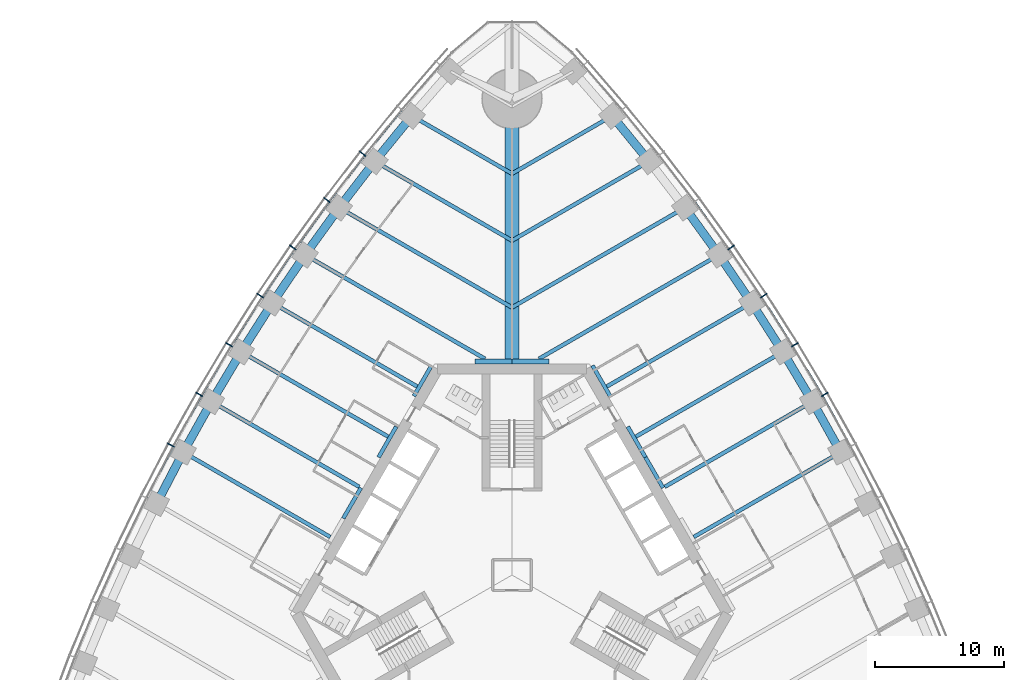
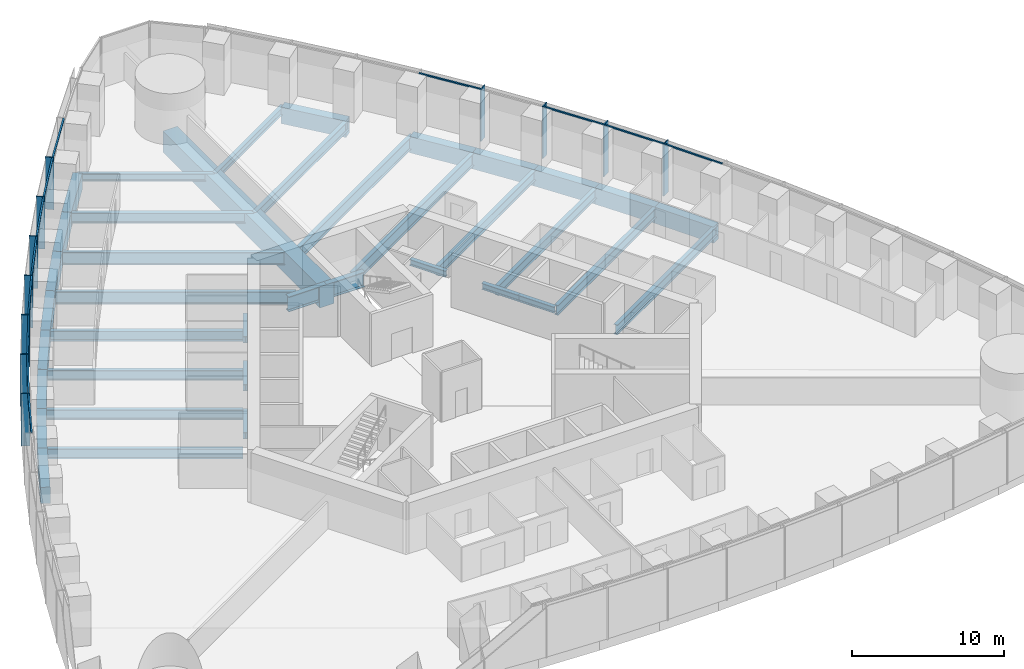
# One storey, part 4 of 18: 39 beams, 23 members, 2 elements without a shape of their own.
"""IFC4 building model written with IfcOpenShell, lengths in metres."""

from ifc_helpers import new_model, si_unit, direction, frame, origin, origin_2d, place, context, subcontext, project, spatial, rectangle, i_section, extrude, material, material_profile, profile_set, type_object, element, aggregate, save


model = new_model("IFC4")

# Units and contexts
model_context = context("Model", 3, precision=1e-05, world=origin(), true_north=direction((0.0, 1.0)))
body_context = subcontext(model_context, "Body", "Model", "MODEL_VIEW")
ifc_project = project(units=[si_unit("LENGTHUNIT", "METRE"), si_unit("AREAUNIT", "SQUARE_METRE"), si_unit("VOLUMEUNIT", "CUBIC_METRE"), si_unit("PLANEANGLEUNIT", "RADIAN"), si_unit("MASSUNIT", "GRAM", prefix="KILO")], contexts=[model_context])

# Site, building, storey
site_placement = place(None, origin())
site = spatial("IfcSite", under=ifc_project, at=site_placement, CompositionType="ELEMENT")
building_placement = place(site_placement, origin())
building = spatial("IfcBuilding", under=site, at=building_placement, Name="Trefoil Bronze Tower", CompositionType="ELEMENT")
storey_placement = place(building_placement, frame((0.0, 0.0, 29.10009765625)))
storey = spatial("IfcBuildingStorey", under=building, at=storey_placement, Name="L06", CompositionType="ELEMENT", Elevation=29.10009765625)

# Curtain wall, members
ifc_material_1 = material(Name="Tinted solar-control glass", Category="glass")
curtain_wall_type = type_object("IfcCurtainWallType", Name="Bronze office curtain wall", PredefinedType="USERDEFINED", material=ifc_material_1)
curtain_wall_1_placement = place(storey_placement, origin())
curtain_wall_1 = element("IfcCurtainWall", 1, at=curtain_wall_1_placement, inside=storey, type_object=curtain_wall_type, Name="CW-A L06 F2", ObjectType="CURTAIN WALL", PredefinedType="USERDEFINED")
ifc_material_2 = material(Name="Bronze-finish aluminium", Category="aluminium")
ifc_material_profile_1 = material_profile(ifc_material_2, rectangle(XDim=0.60009765625, YDim=0.080078125, at=origin_2d()), Name="CW-A mullion")
ifc_profile_set_1 = profile_set([ifc_material_profile_1], Name="Bronze-finish aluminium")
member_type_1 = type_object("IfcMemberType", Name="Bronze office curtain wall mullion", PredefinedType="MULLION", material=ifc_profile_set_1)
member_1_placement = place(storey_placement, frame((24.291015625, 14.0244140625, 0.0), z_axis=(0.0, 0.0, 1.0), x_axis=(-0.866025403784, -0.5, 0.0)))
member_1 = element("IfcMember", 2, at=member_1_placement, type_object=member_type_1, Name="CW-A L06 F2 mullion 9", PredefinedType="MULLION", context=body_context, shape_type="SweptSolid", body=[
    extrude(rectangle(XDim=0.60009765625, YDim=0.080078125, at=origin_2d()), origin(), (0.0, 0.0, 1.0), 4.179931640625),
])
member_2_placement = place(storey_placement, frame((21.97998046875, 17.896240234375, 0.0), z_axis=(0.0, 0.0, 1.0), x_axis=(-0.851149783004, -0.524922896141, 0.0)))
member_2 = element("IfcMember", 3, at=member_2_placement, type_object=member_type_1, Name="CW-A L06 F2 mullion 10", PredefinedType="MULLION", context=body_context, shape_type="SweptSolid", body=[
    extrude(rectangle(XDim=0.60009765625, YDim=0.080078125, at=origin_2d()), origin(), (0.0, 0.0, 1.0), 4.179931640625),
])
member_3_placement = place(storey_placement, frame((19.555419921875, 21.70263671875, 0.0), z_axis=(0.0, 0.0, 1.0), x_axis=(-0.835543651684, -0.549424067665, 0.0)))
member_3 = element("IfcMember", 4, at=member_3_placement, type_object=member_type_1, Name="CW-A L06 F2 mullion 11", PredefinedType="MULLION", context=body_context, shape_type="SweptSolid", body=[
    extrude(rectangle(XDim=0.60009765625, YDim=0.080078125, at=origin_2d()), origin(), (0.0, 0.0, 1.0), 4.179931640625),
])
member_4_placement = place(storey_placement, frame((17.01708984375, 25.443359375, 0.0), z_axis=(0.0, 0.0, 1.0), x_axis=(-0.819204207116, -0.573501932903, 0.0)))
member_4 = element("IfcMember", 5, at=member_4_placement, type_object=member_type_1, Name="CW-A L06 F2 mullion 12", PredefinedType="MULLION", context=body_context, shape_type="SweptSolid", body=[
    extrude(rectangle(XDim=0.60009765625, YDim=0.080078125, at=origin_2d()), origin(), (0.0, 0.0, 1.0), 4.179931640625),
])

curtain_wall_2_placement = place(storey_placement, origin())
curtain_wall_2 = element("IfcCurtainWall", 6, at=curtain_wall_2_placement, inside=storey, type_object=curtain_wall_type, Name="CW-A L06 F3", ObjectType="CURTAIN WALL", PredefinedType="USERDEFINED")
member_5_placement = place(storey_placement, frame((-11.595458984375, 32.7255859375, 0.0), z_axis=(0.0, 0.0, 1.0), x_axis=(0.784304615744, -0.620375910011, 0.0)))
member_5 = element("IfcMember", 7, at=member_5_placement, type_object=member_type_1, Name="CW-A L06 F3 mullion 4", PredefinedType="MULLION", context=body_context, shape_type="SweptSolid", body=[
    extrude(rectangle(XDim=0.60009765625, YDim=0.080078125, at=origin_2d()), origin(), (0.0, 0.0, 1.0), 4.179931640625),
])
member_6_placement = place(storey_placement, frame((-14.364013671875, 29.117919921875, 0.0), z_axis=(0.0, 0.0, 1.0), x_axis=(0.802126748469, -0.59715381552, 0.0)))
member_6 = element("IfcMember", 8, at=member_6_placement, type_object=member_type_1, Name="CW-A L06 F3 mullion 5", PredefinedType="MULLION", context=body_context, shape_type="SweptSolid", body=[
    extrude(rectangle(XDim=0.60009765625, YDim=0.080078125, at=origin_2d()), origin(), (0.0, 0.0, 1.0), 4.179931640625),
])
member_7_placement = place(storey_placement, frame((-17.01708984375, 25.443359375, 0.0), z_axis=(0.0, 0.0, 1.0), x_axis=(0.819204207116, -0.573501932903, 0.0)))
member_7 = element("IfcMember", 9, at=member_7_placement, type_object=member_type_1, Name="CW-A L06 F3 mullion 6", PredefinedType="MULLION", context=body_context, shape_type="SweptSolid", body=[
    extrude(rectangle(XDim=0.60009765625, YDim=0.080078125, at=origin_2d()), origin(), (0.0, 0.0, 1.0), 4.179931640625),
])
member_8_placement = place(storey_placement, frame((-19.555419921875, 21.70263671875, 0.0), z_axis=(0.0, 0.0, 1.0), x_axis=(0.835543651684, -0.549424067665, 0.0)))
member_8 = element("IfcMember", 10, at=member_8_placement, type_object=member_type_1, Name="CW-A L06 F3 mullion 7", PredefinedType="MULLION", context=body_context, shape_type="SweptSolid", body=[
    extrude(rectangle(XDim=0.60009765625, YDim=0.080078125, at=origin_2d()), origin(), (0.0, 0.0, 1.0), 4.179931640625),
])
member_9_placement = place(storey_placement, frame((-21.97998046875, 17.896240234375, 0.0), z_axis=(0.0, 0.0, 1.0), x_axis=(0.851149783004, -0.524922896141, 0.0)))
member_9 = element("IfcMember", 11, at=member_9_placement, type_object=member_type_1, Name="CW-A L06 F3 mullion 8", PredefinedType="MULLION", context=body_context, shape_type="SweptSolid", body=[
    extrude(rectangle(XDim=0.60009765625, YDim=0.080078125, at=origin_2d()), origin(), (0.0, 0.0, 1.0), 4.179931640625),
])
member_10_placement = place(storey_placement, frame((-24.291015625, 14.0244140625, 0.0), z_axis=(0.0, 0.0, 1.0), x_axis=(0.866025403784, -0.5, 0.0)))
member_10 = element("IfcMember", 12, at=member_10_placement, type_object=member_type_1, Name="CW-A L06 F3 mullion 9", PredefinedType="MULLION", context=body_context, shape_type="SweptSolid", body=[
    extrude(rectangle(XDim=0.60009765625, YDim=0.080078125, at=origin_2d()), origin(), (0.0, 0.0, 1.0), 4.179931640625),
])
member_11_placement = place(storey_placement, frame((-26.488525390625, 10.0869140625, 0.0), z_axis=(0.0, 0.0, 1.0), x_axis=(0.880171454588, -0.474655886437, 0.0)))
member_11 = element("IfcMember", 13, at=member_11_placement, type_object=member_type_1, Name="CW-A L06 F3 mullion 10", PredefinedType="MULLION", context=body_context, shape_type="SweptSolid", body=[
    extrude(rectangle(XDim=0.60009765625, YDim=0.080078125, at=origin_2d()), origin(), (0.0, 0.0, 1.0), 4.179931640625),
])

# Member
ifc_material_3 = material(Name="Bronze-finish aluminium", Category="aluminium")
ifc_material_profile_2 = material_profile(ifc_material_3, rectangle(XDim=0.1201171875, YDim=0.10009765625, at=origin_2d()), Name="CW-A transom")
ifc_profile_set_2 = profile_set([ifc_material_profile_2], Name="Bronze-finish aluminium")
member_type_2 = type_object("IfcMemberType", Name="Bronze office curtain wall transom", PredefinedType="USERDEFINED", material=ifc_profile_set_2)
member_12_placement = place(storey_placement, frame((26.29248046875, 10.0283203125, 4.1298828125), z_axis=(-0.487400435348, 0.873178570295, 0.0), x_axis=(-0.873178570295, -0.487400435348, 0.0)))
member_12 = element("IfcMember", 14, at=member_12_placement, type_object=member_type_2, Name="CW-A L06 F2 transom 8", ObjectType="TRANSOM", PredefinedType="USERDEFINED", context=body_context, shape_type="SweptSolid", body=[
    extrude(rectangle(XDim=0.1201171875, YDim=0.10009765625, at=origin_2d()), origin(), (0.0, 0.0, 1.0), 4.42041015625),
])

member_13_placement = place(storey_placement, frame((24.096435546875, 13.9599609375, 4.1298828125), z_axis=(-0.512536988879, 0.858665147209, 0.0), x_axis=(-0.858665147209, -0.512536988879, 0.0)))
member_13 = element("IfcMember", 15, at=member_13_placement, type_object=member_type_2, Name="CW-A L06 F2 transom 9", ObjectType="TRANSOM", PredefinedType="USERDEFINED", context=body_context, shape_type="SweptSolid", body=[
    extrude(rectangle(XDim=0.1201171875, YDim=0.10009765625, at=origin_2d()), origin(), (0.0, 0.0, 1.0), 4.42041015625),
])

member_14_placement = place(storey_placement, frame((21.787353515625, 17.826171875, 4.1298828125), z_axis=(-0.537196807268, 0.843456928515, 0.0), x_axis=(-0.843456928515, -0.537196807268, 0.0)))
member_14 = element("IfcMember", 16, at=member_14_placement, type_object=member_type_2, Name="CW-A L06 F2 transom 10", ObjectType="TRANSOM", PredefinedType="USERDEFINED", context=body_context, shape_type="SweptSolid", body=[
    extrude(rectangle(XDim=0.1201171875, YDim=0.10009765625, at=origin_2d()), origin(), (0.0, 0.0, 1.0), 4.42431640625),
])

member_15_placement = place(storey_placement, frame((16.828857421875, 25.3623046875, 4.1298828125), z_axis=(-0.585378207433, 0.81076035563, 0.0), x_axis=(-0.81076035563, -0.585378207433, 0.0)))
member_15 = element("IfcMember", 17, at=member_15_placement, type_object=member_type_2, Name="CW-A L06 F2 transom 12", ObjectType="TRANSOM", PredefinedType="USERDEFINED", context=body_context, shape_type="SweptSolid", body=[
    extrude(rectangle(XDim=0.1201171875, YDim=0.10009765625, at=origin_2d()), origin(), (0.0, 0.0, 1.0), 4.443359375),
])

aggregate(curtain_wall_1, [member_1, member_2, member_3, member_4, member_12, member_13, member_14, member_15])

member_16_placement = place(storey_placement, frame((-8.582763671875, 36.10498046875, 4.1298828125), z_axis=(-0.631835540201, -0.775102477185, 0.0), x_axis=(0.775102477185, -0.631835540201, 0.0)))
member_16 = element("IfcMember", 18, at=member_16_placement, type_object=member_type_2, Name="CW-A L06 F3 transom 3", ObjectType="TRANSOM", PredefinedType="USERDEFINED", context=body_context, shape_type="SweptSolid", body=[
    extrude(rectangle(XDim=0.1201171875, YDim=0.10009765625, at=origin_2d()), origin(), (0.0, 0.0, 1.0), 4.478271484375),
])

member_17_placement = place(storey_placement, frame((-11.4638671875, 32.568603515625, 4.1298828125), z_axis=(-0.608829203216, -0.793301330713, 0.0), x_axis=(0.793301330713, -0.608829203216, 0.0)))
member_17 = element("IfcMember", 19, at=member_17_placement, type_object=member_type_2, Name="CW-A L06 F3 transom 4", ObjectType="TRANSOM", PredefinedType="USERDEFINED", context=body_context, shape_type="SweptSolid", body=[
    extrude(rectangle(XDim=0.1201171875, YDim=0.10009765625, at=origin_2d()), origin(), (0.0, 0.0, 1.0), 4.458740234375),
])

member_18_placement = place(storey_placement, frame((-14.227783203125, 28.96484375, 4.1298828125), z_axis=(-0.585378207433, -0.81076035563, 0.0), x_axis=(0.81076035563, -0.585378207433, 0.0)))
member_18 = element("IfcMember", 20, at=member_18_placement, type_object=member_type_2, Name="CW-A L06 F3 transom 5", ObjectType="TRANSOM", PredefinedType="USERDEFINED", context=body_context, shape_type="SweptSolid", body=[
    extrude(rectangle(XDim=0.1201171875, YDim=0.10009765625, at=origin_2d()), origin(), (0.0, 0.0, 1.0), 4.443359375),
])

member_19_placement = place(storey_placement, frame((-16.87646484375, 25.29443359375, 4.1298828125), z_axis=(-0.561508153923, -0.827471203775, 0.0), x_axis=(0.827471203775, -0.561508153923, 0.0)))
member_19 = element("IfcMember", 21, at=member_19_placement, type_object=member_type_2, Name="CW-A L06 F3 transom 6", ObjectType="TRANSOM", PredefinedType="USERDEFINED", context=body_context, shape_type="SweptSolid", body=[
    extrude(rectangle(XDim=0.1201171875, YDim=0.10009765625, at=origin_2d()), origin(), (0.0, 0.0, 1.0), 4.431884765625),
])

member_20_placement = place(storey_placement, frame((-19.41064453125, 21.557861328125, 4.1298828125), z_axis=(-0.537196807268, -0.843456928515, 0.0), x_axis=(0.843456928515, -0.537196807268, 0.0)))
member_20 = element("IfcMember", 22, at=member_20_placement, type_object=member_type_2, Name="CW-A L06 F3 transom 7", ObjectType="TRANSOM", PredefinedType="USERDEFINED", context=body_context, shape_type="SweptSolid", body=[
    extrude(rectangle(XDim=0.1201171875, YDim=0.10009765625, at=origin_2d()), origin(), (0.0, 0.0, 1.0), 4.42431640625),
])

member_21_placement = place(storey_placement, frame((-21.830810546875, 17.755615234375, 4.1298828125), z_axis=(-0.512536988879, -0.858665147209, 0.0), x_axis=(0.858665147209, -0.512536988879, 0.0)))
member_21 = element("IfcMember", 23, at=member_21_placement, type_object=member_type_2, Name="CW-A L06 F3 transom 8", ObjectType="TRANSOM", PredefinedType="USERDEFINED", context=body_context, shape_type="SweptSolid", body=[
    extrude(rectangle(XDim=0.1201171875, YDim=0.10009765625, at=origin_2d()), origin(), (0.0, 0.0, 1.0), 4.42041015625),
])

member_22_placement = place(storey_placement, frame((-24.137939453125, 13.88818359375, 4.1298828125), z_axis=(-0.487400435348, -0.873178570295, 0.0), x_axis=(0.873178570295, -0.487400435348, 0.0)))
member_22 = element("IfcMember", 24, at=member_22_placement, type_object=member_type_2, Name="CW-A L06 F3 transom 9", ObjectType="TRANSOM", PredefinedType="USERDEFINED", context=body_context, shape_type="SweptSolid", body=[
    extrude(rectangle(XDim=0.1201171875, YDim=0.10009765625, at=origin_2d()), origin(), (0.0, 0.0, 1.0), 4.42041015625),
])

member_23_placement = place(storey_placement, frame((-26.331787109375, 9.955322265625, 4.1298828125), z_axis=(-0.461809621225, -0.886979071762, 0.0), x_axis=(0.886979071762, -0.461809621225, 0.0)))
member_23 = element("IfcMember", 25, at=member_23_placement, type_object=member_type_2, Name="CW-A L06 F3 transom 10", ObjectType="TRANSOM", PredefinedType="USERDEFINED", context=body_context, shape_type="SweptSolid", body=[
    extrude(rectangle(XDim=0.1201171875, YDim=0.10009765625, at=origin_2d()), origin(), (0.0, 0.0, 1.0), 4.42431640625),
])

aggregate(curtain_wall_2, [member_5, member_6, member_7, member_8, member_9, member_10, member_11, member_16, member_17, member_18, member_19, member_20, member_21, member_22, member_23])

# Beams
ifc_material_4 = material(Name="Steel C355", Category="steel")
ifc_material_profile_3 = material_profile(ifc_material_4, i_section(OverallWidth=0.300048828125, OverallDepth=0.5, WebThickness=0.014404296875, FlangeThickness=0.028076171875, FilletRadius=0.027099609375, at=origin_2d()), Name="HEB 500")
ifc_profile_set_3 = profile_set([ifc_material_profile_3], Name="Steel C355")
beam_type_1 = type_object("IfcBeamType", Name="Core seat beam HEB 500", PredefinedType="BEAM", material=ifc_profile_set_3)
for number, where, z_axis, x_axis, name in (
    (26, (11.734619140625, 6.77490234375, -0.4501953125), (-0.499969057507, 0.866043267704, 0.0), (-0.866043267704, -0.499969057507, 0.0), "Core seat beam F2/+0 L06"),
    (27, (10.363525390625, 9.14990234375, -0.4501953125), (-0.500035825175, 0.866004719122, 0.0), (-0.866004719122, -0.500035825175, 0.0), "Core seat beam F2/+1 L06"),
    (28, (7.62109375, 13.89990234375, -0.4501953125), (-0.500035825175, 0.866004719122, 0.0), (-0.866004719122, -0.500035825175, 0.0), "Core seat beam F2/+2 L06"),
    (29, (-6.249755859375, 16.27490234375, -0.4501953125), (-0.500035825175, -0.866004719122, 0.0), (0.866004719122, -0.500035825175, 0.0), "Core seat beam F3/-2 L06"),
    (30, (-8.9921875, 11.52490234375, -0.4501953125), (-0.500035825175, -0.866004719122, 0.0), (0.866004719122, -0.500035825175, 0.0), "Core seat beam F3/-1 L06"),
    (31, (-11.734619140625, 6.77490234375, -0.4501953125), (-0.500035825175, -0.866004719122, 0.0), (0.866004719122, -0.500035825175, 0.0), "Core seat beam F3/+0 L06"),
):
    element("IfcBeam", number, at=place(storey_placement, frame(where, z_axis=z_axis, x_axis=x_axis)), inside=storey, type_object=beam_type_1, Name=name, PredefinedType="BEAM", context=body_context, shape_type="SweptSolid", body=[
        extrude(i_section(OverallWidth=0.300048828125, OverallDepth=0.5, WebThickness=0.014404296875, FlangeThickness=0.028076171875, FilletRadius=0.027099609375, at=origin_2d()), origin(), (0.0, 0.0, 1.0), 2.742431640625),
    ])
ifc_material_5 = material(Name="Steel C355", Category="steel")
ifc_material_profile_4 = material_profile(ifc_material_5, i_section(OverallWidth=0.39990234375, OverallDepth=1.199951171875, WebThickness=0.02001953125, FlangeThickness=0.0400390625, FilletRadius=0.010009765625, at=origin_2d()), Name="WPG 1200")
ifc_profile_set_4 = profile_set([ifc_material_profile_4], Name="Steel C355")
beam_type_2 = type_object("IfcBeamType", Name="Core seat beam WPG 1200", PredefinedType="BEAM", material=ifc_profile_set_4)
for number, where, z_axis, x_axis, name in (
    (32, (2.88671875, 16.60009765625, -0.800048828125), (-1.0, 0.0, 0.0), (0.0, -1.0, 0.0), "Core seat beam F2/+3 L06"),
    (33, (0.0, 16.60009765625, -0.800048828125), (-1.0, 0.0, 0.0), (0.0, -1.0, 0.0), "Core seat beam F3/-3 L06"),
):
    element("IfcBeam", number, at=place(storey_placement, frame(where, z_axis=z_axis, x_axis=x_axis)), inside=storey, type_object=beam_type_2, Name=name, PredefinedType="BEAM", context=body_context, shape_type="SweptSolid", body=[
        extrude(i_section(OverallWidth=0.39990234375, OverallDepth=1.199951171875, WebThickness=0.02001953125, FlangeThickness=0.0400390625, FilletRadius=0.010009765625, at=origin_2d()), origin(), (0.0, 0.0, 1.0), 2.88671875),
    ])
ifc_material_6 = material(Name="Concrete B80", Category="concrete")
ifc_material_profile_5 = material_profile(ifc_material_6, rectangle(XDim=1.10009765625, YDim=1.699951171875, at=origin_2d()), Name="RC 1100x1700")
ifc_profile_set_5 = profile_set([ifc_material_profile_5], Name="Concrete B80")
beam_type_3 = type_object("IfcBeamType", Name="Corner girder RC 1100x1700", PredefinedType="BEAM", material=ifc_profile_set_5)
beam_1_placement = place(storey_placement, frame((0.0, 16.39990234375, -1.050048828125), z_axis=(0.0, 1.0, 0.0), x_axis=(-1.0, 0.0, 0.0)))
element("IfcBeam", 34, at=beam_1_placement, inside=storey, type_object=beam_type_3, Name="Corner girder K2 L06", PredefinedType="BEAM", context=body_context, shape_type="SweptSolid", body=[
    extrude(rectangle(XDim=1.10009765625, YDim=1.699951171875, at=origin_2d()), origin(), (0.0, 0.0, 1.0), 20.60009765625),
])
ifc_material_7 = material(Name="Steel C355", Category="steel")
ifc_material_profile_6 = material_profile(ifc_material_7, i_section(OverallWidth=0.300048828125, OverallDepth=0.590087890625, WebThickness=0.012939453125, FlangeThickness=0.02490234375, FilletRadius=0.027099609375, at=origin_2d()), Name="HEA 600")
ifc_profile_set_6 = profile_set([ifc_material_profile_6], Name="Steel C355")
beam_type_4 = type_object("IfcBeamType", Name="Floor beam HEA 600", PredefinedType="BEAM", material=ifc_profile_set_6)
for number, where, z_axis, x_axis, name in (
    (35, (7.7763671875, 35.666748046875, -0.4951171875), (-0.866022587327, -0.500004878216, 0.0), (0.500004878216, -0.866022587327, 0.0), "Floor beam F2/+6 L06"),
    (36, (-7.7763671875, 35.666748046875, -0.4951171875), (0.866022587327, -0.500004878216, 0.0), (0.500004878216, 0.866022587327, 0.0), "Floor beam F3/-6 L06"),
):
    element("IfcBeam", number, at=place(storey_placement, frame(where, z_axis=z_axis, x_axis=x_axis)), inside=storey, type_object=beam_type_4, Name=name, PredefinedType="BEAM", context=body_context, shape_type="SweptSolid", body=[
        extrude(i_section(OverallWidth=0.300048828125, OverallDepth=0.590087890625, WebThickness=0.012939453125, FlangeThickness=0.02490234375, FilletRadius=0.027099609375, at=origin_2d()), origin(), (0.0, 0.0, 1.0), 8.9794921875),
    ])
ifc_material_8 = material(Name="Steel C355", Category="steel")
ifc_material_profile_7 = material_profile(ifc_material_8, i_section(OverallWidth=0.300048828125, OverallDepth=1.0, WebThickness=0.01904296875, FlangeThickness=0.035888671875, FilletRadius=0.030029296875, at=origin_2d()), Name="HEB 1000")
ifc_profile_set_7 = profile_set([ifc_material_profile_7], Name="Steel C355")
beam_type_5 = type_object("IfcBeamType", Name="Floor beam HEB 1000", PredefinedType="BEAM", material=ifc_profile_set_7)
for number, where, z_axis, x_axis, name in (
    (37, (13.42578125, 28.5361328125, -0.7001953125), (-0.866022989816, -0.500004181093, 0.0), (0.500004181093, -0.866022989816, 0.0), "Floor beam F2/+4 L06"),
    (38, (-13.42578125, 28.5361328125, -0.7001953125), (0.866022989816, -0.500004181093, 0.0), (0.500004181093, 0.866022989816, 0.0), "Floor beam F3/-4 L06"),
):
    element("IfcBeam", number, at=place(storey_placement, frame(where, z_axis=z_axis, x_axis=x_axis)), inside=storey, type_object=beam_type_5, Name=name, PredefinedType="BEAM", context=body_context, shape_type="SweptSolid", body=[
        extrude(i_section(OverallWidth=0.300048828125, OverallDepth=1.0, WebThickness=0.01904296875, FlangeThickness=0.035888671875, FilletRadius=0.030029296875, at=origin_2d()), origin(), (0.0, 0.0, 1.0), 15.502685546875),
    ])
ifc_material_9 = material(Name="Steel C355", Category="steel")
ifc_material_profile_8 = material_profile(ifc_material_9, i_section(OverallWidth=0.300048828125, OverallDepth=0.800048828125, WebThickness=0.017578125, FlangeThickness=0.032958984375, FilletRadius=0.030029296875, at=origin_2d()), Name="HEB 800")
ifc_profile_set_8 = profile_set([ifc_material_profile_8], Name="Steel C355")
beam_type_6 = type_object("IfcBeamType", Name="Floor beam HEB 800", PredefinedType="BEAM", material=ifc_profile_set_8)
beam_2_placement = place(storey_placement, frame((25.531494140625, 9.54443359375, -0.60009765625), z_axis=(-0.866027071639, -0.499997111179, 0.0), x_axis=(0.499997111179, -0.866027071639, 0.0)))
element("IfcBeam", 39, at=beam_2_placement, inside=storey, type_object=beam_type_6, Name="Floor beam F2/-1 L06", PredefinedType="BEAM", context=body_context, shape_type="SweptSolid", body=[
    extrude(i_section(OverallWidth=0.300048828125, OverallDepth=0.800048828125, WebThickness=0.017578125, FlangeThickness=0.032958984375, FilletRadius=0.030029296875, at=origin_2d()), origin(), (0.0, 0.0, 1.0), 13.18310546875),
])
beam_3_placement = place(storey_placement, frame((23.33837890625, 13.474365234375, -0.60009765625), z_axis=(-0.866031233401, -0.499989902672, 0.0), x_axis=(0.499989902672, -0.866031233401, 0.0)))
element("IfcBeam", 40, at=beam_3_placement, inside=storey, type_object=beam_type_6, Name="Floor beam F2/+0 L06", PredefinedType="BEAM", context=body_context, shape_type="SweptSolid", body=[
    extrude(i_section(OverallWidth=0.300048828125, OverallDepth=0.800048828125, WebThickness=0.017578125, FlangeThickness=0.032958984375, FilletRadius=0.030029296875, at=origin_2d()), origin(), (0.0, 0.0, 1.0), 13.248779296875),
])
beam_4_placement = place(storey_placement, frame((21.031494140625, 17.338623046875, -0.60009765625), z_axis=(-0.866027071639, -0.499997111179, 0.0), x_axis=(0.499997111179, -0.866027071639, 0.0)))
element("IfcBeam", 41, at=beam_4_placement, inside=storey, type_object=beam_type_6, Name="Floor beam F2/+1 L06", PredefinedType="BEAM", context=body_context, shape_type="SweptSolid", body=[
    extrude(i_section(OverallWidth=0.300048828125, OverallDepth=0.800048828125, WebThickness=0.017578125, FlangeThickness=0.032958984375, FilletRadius=0.030029296875, at=origin_2d()), origin(), (0.0, 0.0, 1.0), 13.18310546875),
])
beam_5_placement = place(storey_placement, frame((18.61083984375, 21.13720703125, -0.60009765625), z_axis=(-0.866030615021, -0.499990973765, 0.0), x_axis=(0.499990973765, -0.866030615021, 0.0)))
element("IfcBeam", 42, at=beam_5_placement, inside=storey, type_object=beam_type_6, Name="Floor beam F2/+2 L06", PredefinedType="BEAM", context=body_context, shape_type="SweptSolid", body=[
    extrude(i_section(OverallWidth=0.300048828125, OverallDepth=0.800048828125, WebThickness=0.017578125, FlangeThickness=0.032958984375, FilletRadius=0.030029296875, at=origin_2d()), origin(), (0.0, 0.0, 1.0), 12.986083984375),
])
for number, where, z_axis, x_axis, name in (
    (43, (10.659912109375, 32.13525390625, -0.60009765625), (-0.866024070878, -0.500002308654, 0.0), (0.500002308654, -0.866024070878, 0.0), "Floor beam F2/+5 L06"),
    (44, (-10.659912109375, 32.13525390625, -0.60009765625), (0.866024070878, -0.500002308654, 0.0), (0.500002308654, 0.866024070878, 0.0), "Floor beam F3/-5 L06"),
):
    element("IfcBeam", number, at=place(storey_placement, frame(where, z_axis=z_axis, x_axis=x_axis)), inside=storey, type_object=beam_type_6, Name=name, PredefinedType="BEAM", context=body_context, shape_type="SweptSolid", body=[
        extrude(i_section(OverallWidth=0.300048828125, OverallDepth=0.800048828125, WebThickness=0.017578125, FlangeThickness=0.032958984375, FilletRadius=0.030029296875, at=origin_2d()), origin(), (0.0, 0.0, 1.0), 12.30908203125),
    ])
beam_6_placement = place(storey_placement, frame((-18.61083984375, 21.13720703125, -0.60009765625), z_axis=(0.866030615021, -0.499990973765, 0.0), x_axis=(0.499990973765, 0.866030615021, 0.0)))
element("IfcBeam", 45, at=beam_6_placement, inside=storey, type_object=beam_type_6, Name="Floor beam F3/-2 L06", PredefinedType="BEAM", context=body_context, shape_type="SweptSolid", body=[
    extrude(i_section(OverallWidth=0.300048828125, OverallDepth=0.800048828125, WebThickness=0.017578125, FlangeThickness=0.032958984375, FilletRadius=0.030029296875, at=origin_2d()), origin(), (0.0, 0.0, 1.0), 12.986083984375),
])
beam_7_placement = place(storey_placement, frame((-21.031494140625, 17.338623046875, -0.60009765625), z_axis=(0.866027071639, -0.499997111179, 0.0), x_axis=(0.499997111179, 0.866027071639, 0.0)))
element("IfcBeam", 46, at=beam_7_placement, inside=storey, type_object=beam_type_6, Name="Floor beam F3/-1 L06", PredefinedType="BEAM", context=body_context, shape_type="SweptSolid", body=[
    extrude(i_section(OverallWidth=0.300048828125, OverallDepth=0.800048828125, WebThickness=0.017578125, FlangeThickness=0.032958984375, FilletRadius=0.030029296875, at=origin_2d()), origin(), (0.0, 0.0, 1.0), 13.18310546875),
])
beam_8_placement = place(storey_placement, frame((-23.33837890625, 13.474365234375, -0.60009765625), z_axis=(0.866031233401, -0.499989902672, 0.0), x_axis=(0.499989902672, 0.866031233401, 0.0)))
element("IfcBeam", 47, at=beam_8_placement, inside=storey, type_object=beam_type_6, Name="Floor beam F3/+0 L06", PredefinedType="BEAM", context=body_context, shape_type="SweptSolid", body=[
    extrude(i_section(OverallWidth=0.300048828125, OverallDepth=0.800048828125, WebThickness=0.017578125, FlangeThickness=0.032958984375, FilletRadius=0.030029296875, at=origin_2d()), origin(), (0.0, 0.0, 1.0), 13.248779296875),
])
beam_9_placement = place(storey_placement, frame((-25.531494140625, 9.54443359375, -0.60009765625), z_axis=(0.866027071639, -0.499997111179, 0.0), x_axis=(0.499997111179, 0.866027071639, 0.0)))
element("IfcBeam", 48, at=beam_9_placement, inside=storey, type_object=beam_type_6, Name="Floor beam F3/+1 L06", PredefinedType="BEAM", context=body_context, shape_type="SweptSolid", body=[
    extrude(i_section(OverallWidth=0.300048828125, OverallDepth=0.800048828125, WebThickness=0.017578125, FlangeThickness=0.032958984375, FilletRadius=0.030029296875, at=origin_2d()), origin(), (0.0, 0.0, 1.0), 13.18310546875),
])
ifc_material_10 = material(Name="Steel C355", Category="steel")
ifc_material_profile_9 = material_profile(ifc_material_10, i_section(OverallWidth=0.302001953125, OverallDepth=1.008056640625, WebThickness=0.02099609375, FlangeThickness=0.0400390625, FilletRadius=0.030029296875, at=origin_2d()), Name="HEM 1000")
ifc_profile_set_9 = profile_set([ifc_material_profile_9], Name="Steel C355")
beam_type_7 = type_object("IfcBeamType", Name="Floor beam HEM 1000", PredefinedType="BEAM", material=ifc_profile_set_9)
for number, where, z_axis, x_axis, name in (
    (49, (16.075927734375, 24.869873046875, -0.7041015625), (-0.866028401131, -0.499994808408, 0.0), (0.499994808408, -0.866028401131, 0.0), "Floor beam F2/+3 L06"),
    (50, (-16.075927734375, 24.869873046875, -0.7041015625), (0.866028401131, -0.499994808408, 0.0), (0.499994808408, 0.866028401131, 0.0), "Floor beam F3/-3 L06"),
):
    element("IfcBeam", number, at=place(storey_placement, frame(where, z_axis=z_axis, x_axis=x_axis)), inside=storey, type_object=beam_type_7, Name=name, PredefinedType="BEAM", context=body_context, shape_type="SweptSolid", body=[
        extrude(i_section(OverallWidth=0.302001953125, OverallDepth=1.008056640625, WebThickness=0.02099609375, FlangeThickness=0.0400390625, FilletRadius=0.030029296875, at=origin_2d()), origin(), (0.0, 0.0, 1.0), 16.139892578125),
    ])
ifc_material_11 = material(Name="Concrete B80", Category="concrete")
ifc_material_profile_10 = material_profile(ifc_material_11, rectangle(XDim=0.64990234375, YDim=1.300048828125, at=origin_2d()), Name="RC 650x1300")
ifc_profile_set_10 = profile_set([ifc_material_profile_10], Name="Concrete B80")
beam_type_8 = type_object("IfcBeamType", Name="Spandrel beam RC 650x1300", PredefinedType="SPANDREL", material=ifc_profile_set_10)
for number, where, z_axis, x_axis, name in (
    (51, (25.531494140625, 9.54443359375, -0.85009765625), (-0.487309404804, 0.873229376504, 0.0), (-0.873229376504, -0.487309404804, 0.0), "Spandrel F2.8 L06"),
    (52, (23.33837890625, 13.474365234375, -0.85009765625), (-0.512587831591, 0.858634797166, 0.0), (-0.858634797166, -0.512587831591, 0.0), "Spandrel F2.9 L06"),
):
    element("IfcBeam", number, at=place(storey_placement, frame(where, z_axis=z_axis, x_axis=x_axis)), inside=storey, type_object=beam_type_8, Name=name, PredefinedType="SPANDREL", context=body_context, shape_type="SweptSolid", body=[
        extrude(rectangle(XDim=0.64990234375, YDim=1.300048828125, at=origin_2d()), origin(), (0.0, 0.0, 1.0), 4.50048828125),
    ])
beam_10_placement = place(storey_placement, frame((21.031494140625, 17.338623046875, -0.85009765625), z_axis=(-0.537408473305, 0.843322081307, 0.0), x_axis=(-0.843322081307, -0.537408473305, 0.0)))
element("IfcBeam", 53, at=beam_10_placement, inside=storey, type_object=beam_type_8, Name="Spandrel F2.10 L06", PredefinedType="SPANDREL", context=body_context, shape_type="SweptSolid", body=[
    extrude(rectangle(XDim=0.64990234375, YDim=1.300048828125, at=origin_2d()), origin(), (0.0, 0.0, 1.0), 4.50439453125),
])
beam_11_placement = place(storey_placement, frame((18.61083984375, 21.13720703125, -0.85009765625), z_axis=(-0.561809680291, 0.827266512758, 0.0), x_axis=(-0.827266512758, -0.561809680291, 0.0)))
element("IfcBeam", 54, at=beam_11_placement, inside=storey, type_object=beam_type_8, Name="Spandrel F2.11 L06", PredefinedType="SPANDREL", context=body_context, shape_type="SweptSolid", body=[
    extrude(rectangle(XDim=0.64990234375, YDim=1.300048828125, at=origin_2d()), origin(), (0.0, 0.0, 1.0), 4.511962890625),
])
beam_12_placement = place(storey_placement, frame((16.075927734375, 24.869873046875, -0.85009765625), z_axis=(-0.585823508301, 0.810438657223, 0.0), x_axis=(-0.810438657223, -0.585823508301, 0.0)))
element("IfcBeam", 55, at=beam_12_placement, inside=storey, type_object=beam_type_8, Name="Spandrel F2.12 L06", PredefinedType="SPANDREL", context=body_context, shape_type="SweptSolid", body=[
    extrude(rectangle(XDim=0.64990234375, YDim=1.300048828125, at=origin_2d()), origin(), (0.0, 0.0, 1.0), 4.523681640625),
])
for number, where, z_axis, x_axis, name in (
    (56, (10.659912109375, 32.13525390625, -0.85009765625), (-0.632467643363, 0.774586780225, 0.0), (-0.774586780225, -0.632467643363, 0.0), "Spandrel F2.14 L06"),
    (57, (-7.7763671875, 35.666748046875, -0.85009765625), (-0.632467643363, -0.774586780225, 0.0), (0.774586780225, -0.632467643363, 0.0), "Spandrel F3.3 L06"),
):
    element("IfcBeam", number, at=place(storey_placement, frame(where, z_axis=z_axis, x_axis=x_axis)), inside=storey, type_object=beam_type_8, Name=name, PredefinedType="SPANDREL", context=body_context, shape_type="SweptSolid", body=[
        extrude(rectangle(XDim=0.64990234375, YDim=1.300048828125, at=origin_2d()), origin(), (0.0, 0.0, 1.0), 4.55908203125),
    ])
beam_13_placement = place(storey_placement, frame((-10.659912109375, 32.13525390625, -0.85009765625), z_axis=(-0.609338992146, -0.792909826305, 0.0), x_axis=(0.792909826305, -0.609338992146, 0.0)))
element("IfcBeam", 58, at=beam_13_placement, inside=storey, type_object=beam_type_8, Name="Spandrel F3.4 L06", PredefinedType="SPANDREL", context=body_context, shape_type="SweptSolid", body=[
    extrude(rectangle(XDim=0.64990234375, YDim=1.300048828125, at=origin_2d()), origin(), (0.0, 0.0, 1.0), 4.5390625),
])
beam_14_placement = place(storey_placement, frame((-13.42578125, 28.5361328125, -0.85009765625), z_axis=(-0.585823508301, -0.810438657223, 0.0), x_axis=(0.810438657223, -0.585823508301, 0.0)))
element("IfcBeam", 59, at=beam_14_placement, inside=storey, type_object=beam_type_8, Name="Spandrel F3.5 L06", PredefinedType="SPANDREL", context=body_context, shape_type="SweptSolid", body=[
    extrude(rectangle(XDim=0.64990234375, YDim=1.300048828125, at=origin_2d()), origin(), (0.0, 0.0, 1.0), 4.523681640625),
])
beam_15_placement = place(storey_placement, frame((-16.075927734375, 24.869873046875, -0.85009765625), z_axis=(-0.561809680291, -0.827266512758, 0.0), x_axis=(0.827266512758, -0.561809680291, 0.0)))
element("IfcBeam", 60, at=beam_15_placement, inside=storey, type_object=beam_type_8, Name="Spandrel F3.6 L06", PredefinedType="SPANDREL", context=body_context, shape_type="SweptSolid", body=[
    extrude(rectangle(XDim=0.64990234375, YDim=1.300048828125, at=origin_2d()), origin(), (0.0, 0.0, 1.0), 4.511962890625),
])
beam_16_placement = place(storey_placement, frame((-18.61083984375, 21.13720703125, -0.85009765625), z_axis=(-0.537408473305, -0.843322081307, 0.0), x_axis=(0.843322081307, -0.537408473305, 0.0)))
element("IfcBeam", 61, at=beam_16_placement, inside=storey, type_object=beam_type_8, Name="Spandrel F3.7 L06", PredefinedType="SPANDREL", context=body_context, shape_type="SweptSolid", body=[
    extrude(rectangle(XDim=0.64990234375, YDim=1.300048828125, at=origin_2d()), origin(), (0.0, 0.0, 1.0), 4.50439453125),
])
for number, where, z_axis, x_axis, name in (
    (62, (-21.031494140625, 17.338623046875, -0.85009765625), (-0.512587831591, -0.858634797166, 0.0), (0.858634797166, -0.512587831591, 0.0), "Spandrel F3.8 L06"),
    (63, (-23.33837890625, 13.474365234375, -0.85009765625), (-0.487309404804, -0.873229376504, 0.0), (0.873229376504, -0.487309404804, 0.0), "Spandrel F3.9 L06"),
):
    element("IfcBeam", number, at=place(storey_placement, frame(where, z_axis=z_axis, x_axis=x_axis)), inside=storey, type_object=beam_type_8, Name=name, PredefinedType="SPANDREL", context=body_context, shape_type="SweptSolid", body=[
        extrude(rectangle(XDim=0.64990234375, YDim=1.300048828125, at=origin_2d()), origin(), (0.0, 0.0, 1.0), 4.50048828125),
    ])
beam_17_placement = place(storey_placement, frame((-25.531494140625, 9.54443359375, -0.85009765625), z_axis=(-0.461637716615, -0.887068553495, 0.0), x_axis=(0.887068553495, -0.461637716615, 0.0)))
element("IfcBeam", 64, at=beam_17_placement, inside=storey, type_object=beam_type_8, Name="Spandrel F3.10 L06", PredefinedType="SPANDREL", context=body_context, shape_type="SweptSolid", body=[
    extrude(rectangle(XDim=0.64990234375, YDim=1.300048828125, at=origin_2d()), origin(), (0.0, 0.0, 1.0), 4.50439453125),
])

save(model, "model.ifc")
